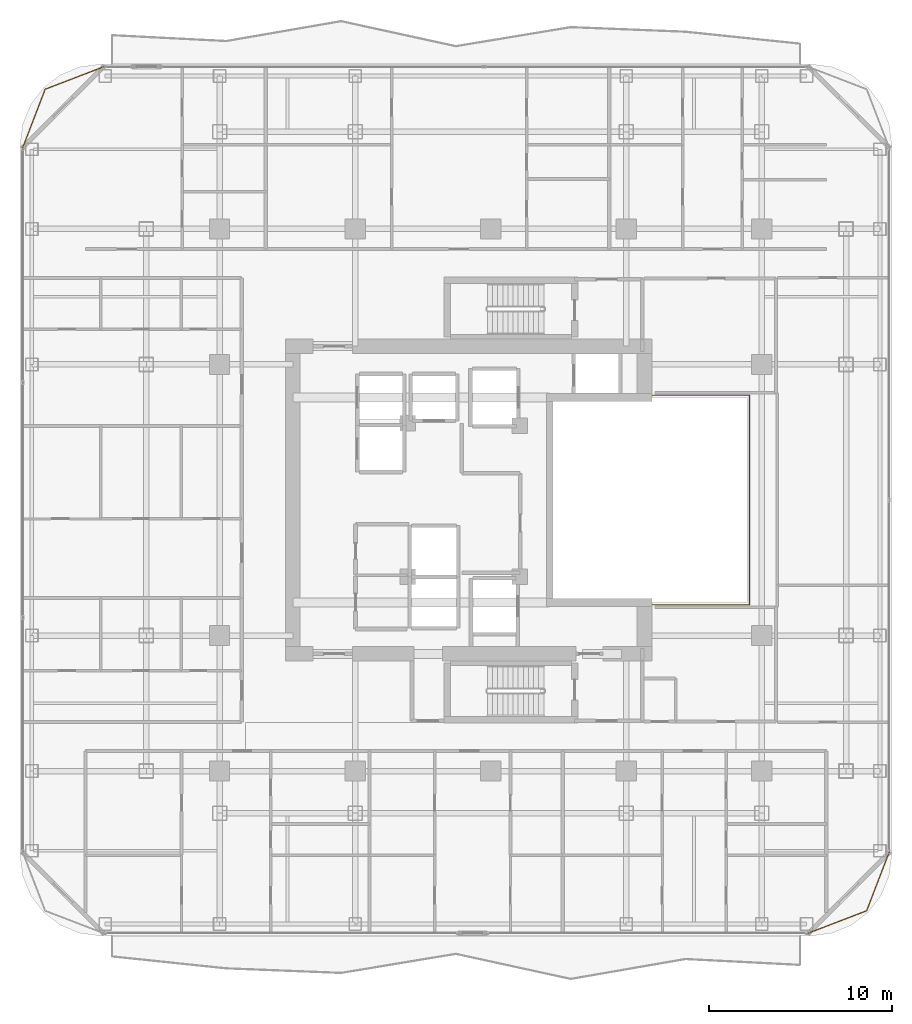
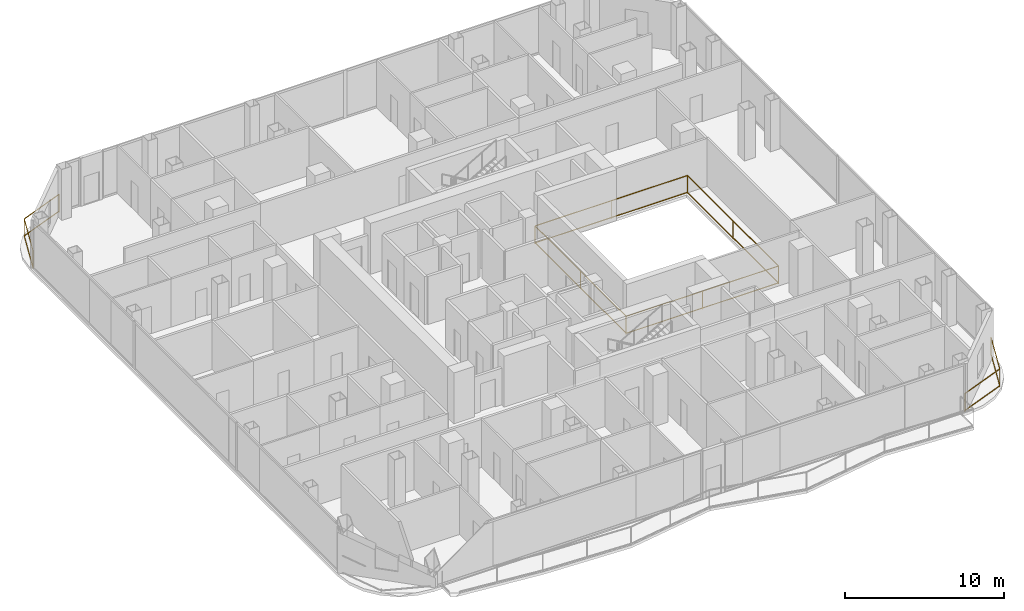
# One storey, part 25 of 26: 3 railings.
"""IFC4 building model written with IfcOpenShell, lengths in metres."""

import ifcopenshell
import ifcopenshell.guid

model = None  # the IFC model being written
_history = None  # IfcOwnerHistory: only IFC2X3 demands one
_inside = {}  # id of a spatial element -> (the spatial element, [elements in it])
_under = {}  # id of a project, library or spatial element -> (it, [spatial elements below it])
_declared = {}  # id of a project -> (the project, [libraries it declares])
_typed = {}  # id of a type object -> (the type object, [elements of that type])
_made_of = {}  # id of a material, layer set ... -> (it, [elements and type objects made of it])


def new_model(schema):
    """Start an empty IFC model of exactly this schema.

    Asked for "IFC4X3", IfcOpenShell would pick the latest addendum, in which some entities
    have other attributes; the version numbers below select the first issue.
    IFC2X3 requires an IfcOwnerHistory on every rooted entity: one is made here for all.
    """
    global model, _history
    if schema == "IFC4X3":
        model = ifcopenshell.file(schema_version=(4, 3, 0, 0))
    else:
        model = ifcopenshell.file(schema=schema)
    _inside.clear()
    _under.clear()
    _declared.clear()
    _typed.clear()
    _made_of.clear()
    _history = None
    if model.schema == "IFC2X3":
        org = make("IfcOrganization", Name="unknown")
        user = make(
            "IfcPersonAndOrganization",
            ThePerson=make("IfcPerson", FamilyName="unknown"),
            TheOrganization=org,
        )
        app = make(
            "IfcApplication",
            ApplicationDeveloper=org,
            Version="unknown",
            ApplicationFullName="unknown",
            ApplicationIdentifier="unknown",
        )
        _history = make(
            "IfcOwnerHistory",
            OwningUser=user,
            OwningApplication=app,
            ChangeAction="ADDED",
            CreationDate=0,
        )
    return model


def make(cls, **values):
    """One entity of the class cls with the attributes given. An attribute that is None is left unset."""
    return model.create_entity(
        cls, **{name: value for name, value in values.items() if value is not None}
    )


def rooted(cls, **values):
    """An entity with a GlobalId (a new one), such as an element, a storey or a relation."""
    return make(cls, GlobalId=ifcopenshell.guid.new(), OwnerHistory=_history, **values)


def si_unit(unit_type, name, prefix=None):
    """IfcSIUnit, for example si_unit("LENGTHUNIT", "METRE", prefix="MILLI")."""
    return make("IfcSIUnit", UnitType=unit_type, Prefix=prefix, Name=name)


def assignment(units):
    """IfcUnitAssignment: the units of a project."""
    return None if units is None else make("IfcUnitAssignment", Units=units)


def point(xyz):
    """IfcCartesianPoint."""
    return None if xyz is None else make("IfcCartesianPoint", Coordinates=xyz)


def direction(xyz):
    """IfcDirection."""
    return None if xyz is None else make("IfcDirection", DirectionRatios=xyz)


def frame(location, z_axis=None, x_axis=None):
    """IfcAxis2Placement3D, a coordinate frame: its origin and axes. An axis left out is left unset."""
    return make(
        "IfcAxis2Placement3D",
        Location=point(location),
        Axis=direction(z_axis),
        RefDirection=direction(x_axis),
    )


def frame_2d(location, x_axis=None):
    """IfcAxis2Placement2D, a coordinate frame in the plane: its origin and x axis."""
    return make(
        "IfcAxis2Placement2D", Location=point(location), RefDirection=direction(x_axis)
    )


def origin():
    """The frame at (0, 0, 0) with its axes left unset."""
    return frame((0.0, 0.0, 0.0))


def origin_2d():
    """The frame at (0, 0) in the plane with its x axis left unset."""
    return frame_2d((0.0, 0.0))


def place(relative_to, where):
    """IfcLocalPlacement: puts the frame where relative to a parent placement (None: the world)."""
    return make(
        "IfcLocalPlacement", PlacementRelTo=relative_to, RelativePlacement=where
    )


def context(
    kind, dimensions, precision=None, world=None, true_north=None, identifier=None
):
    """IfcGeometricRepresentationContext, for example the 3D "Model" context."""
    return make(
        "IfcGeometricRepresentationContext",
        ContextIdentifier=identifier,
        ContextType=kind,
        CoordinateSpaceDimension=dimensions,
        Precision=precision,
        WorldCoordinateSystem=world,
        TrueNorth=true_north,
    )


def subcontext(parent, identifier, kind, view, scale=None):
    """IfcGeometricRepresentationSubContext, for example "Body" below "Model"."""
    return make(
        "IfcGeometricRepresentationSubContext",
        ContextIdentifier=identifier,
        ContextType=kind,
        ParentContext=parent,
        TargetScale=scale,
        TargetView=view,
    )


def project(units=None, contexts=None):
    """IfcProject with its units and contexts."""
    return rooted(
        "IfcProject",
        Name="project",
        RepresentationContexts=contexts,
        UnitsInContext=assignment(units),
    )


def spatial(cls, under=None, at=None, **own):
    """A site, building, storey or space (cls), placed at a placement, below another one or the project."""
    s = rooted(cls, ObjectPlacement=at, **own)
    if under is not None:
        _under.setdefault(under.id(), (under, []))[1].append(s)
    return s


def profile(cls, at=None, kind="AREA", **sizes):
    """A parametric profile (cls). Its sizes go by their IFC names, for example OverallWidth=200.0."""
    return make(cls, ProfileType=kind, Position=at, **sizes)


def rectangle(**sizes):
    """IfcRectangleProfileDef."""
    return profile("IfcRectangleProfileDef", **sizes)


def extrude(swept, where, along, depth):
    """IfcExtrudedAreaSolid: the profile swept, set in the frame where, extruded along a direction by depth."""
    return make(
        "IfcExtrudedAreaSolid",
        SweptArea=swept,
        Position=where,
        ExtrudedDirection=direction(along),
        Depth=depth,
    )


def shape(context_of_items, identifier, shape_type, items):
    """IfcShapeRepresentation: the items that make up one representation, for example the "Body"."""
    return make(
        "IfcShapeRepresentation",
        ContextOfItems=context_of_items,
        RepresentationIdentifier=identifier,
        RepresentationType=shape_type,
        Items=items,
    )


def material(Name=None, Category=None):
    """IfcMaterial."""
    return make("IfcMaterial", Name=Name, Category=Category)


def made_of(thing, what):
    """Note that an element or type object is made of a material, layer set ...; save() writes the relation."""
    if what is not None:
        _made_of.setdefault(what.id(), (what, []))[1].append(thing)
    return thing


def type_object(cls, material=None, **own):
    """A type object (cls), such as IfcWallType, which elements share."""
    return made_of(rooted(cls, **own), material)


def element(
    cls,
    number,
    at=None,
    inside=None,
    cuts=None,
    type_object=None,
    material=None,
    context=None,
    identifier="Body",
    shape_type=None,
    held_by="IfcProductDefinitionShape",
    body=None,
    shapes=None,
    **own,
):
    """One element of the class cls, such as IfcWall. Its Tag is "e" and its number.

    at: its placement. inside: the storey or other place that contains it. cuts: it is an
    opening in that element (IfcRelVoidsElement). A single representation is given by context,
    identifier, shape_type and body (its items); several are given by shapes. held_by: the class
    of the entity that holds the representations. save() writes the other relations.
    """
    e = rooted(cls, Tag="e%d" % number, ObjectPlacement=at, **own)
    if body is not None:
        shapes = [shape(context, identifier, shape_type, body)]
    if shapes is not None:
        e.Representation = make(held_by, Representations=shapes)
    if inside is not None:
        _inside.setdefault(inside.id(), (inside, []))[1].append(e)
    if cuts is not None:
        rooted(
            "IfcRelVoidsElement", RelatingBuildingElement=cuts, RelatedOpeningElement=e
        )
    if type_object is not None:
        _typed.setdefault(type_object.id(), (type_object, []))[1].append(e)
    return made_of(e, material)


def aggregate(whole, parts):
    """IfcRelAggregates: a whole, such as a stair, and the parts it consists of."""
    return rooted("IfcRelAggregates", RelatingObject=whole, RelatedObjects=parts)


def save(model, path):
    """Write the relations noted so far, then the file.

    IfcRelAggregates (storeys below a building ...), IfcRelContainedInSpatialStructure (elements
    in a storey), IfcRelDefinesByType, IfcRelAssociatesMaterial and IfcRelDeclares: one each for
    every whole, place, type object, material and project.
    """
    for whole, parts in _under.values():
        aggregate(whole, parts)
    for where, things in _inside.values():
        rooted(
            "IfcRelContainedInSpatialStructure",
            RelatedElements=things,
            RelatingStructure=where,
        )
    for kind, things in _typed.values():
        rooted("IfcRelDefinesByType", RelatedObjects=things, RelatingType=kind)
    for what, things in _made_of.values():
        rooted("IfcRelAssociatesMaterial", RelatedObjects=things, RelatingMaterial=what)
    for by, libraries in _declared.values():
        rooted("IfcRelDeclares", RelatingContext=by, RelatedDefinitions=libraries)
    model.write(path)


model = new_model("IFC4")

# Units and contexts
model_context = context("Model", 3, precision=1e-05, world=origin(), true_north=direction((0.0, 1.0)))
body_context = subcontext(model_context, "Body", "Model", "MODEL_VIEW")
ifc_project = project(units=[si_unit("LENGTHUNIT", "METRE"), si_unit("AREAUNIT", "SQUARE_METRE"), si_unit("VOLUMEUNIT", "CUBIC_METRE"), si_unit("PLANEANGLEUNIT", "RADIAN"), si_unit("MASSUNIT", "GRAM", prefix="KILO")], contexts=[model_context])

# Site, building, storey
site_placement = place(None, origin())
site = spatial("IfcSite", under=ifc_project, at=site_placement, CompositionType="ELEMENT")
building_placement = place(site_placement, origin())
building = spatial("IfcBuilding", under=site, at=building_placement, Name="Khorvyn Point Tower", CompositionType="ELEMENT")
storey_placement = place(building_placement, frame((0.0, 0.0, 183.60009765625)))
storey = spatial("IfcBuildingStorey", under=building, at=storey_placement, Name="L45", CompositionType="ELEMENT", Elevation=183.60009765625)

# Railings
ifc_material_1 = material(Name="Stainless steel 1.4401 and laminated glass", Category="steel")
railing_type_1 = type_object("IfcRailingType", Name="Crystal Atrium Smoke-Rated Perimeter Guardrail 1400", PredefinedType="GUARDRAIL", material=ifc_material_1)
railing_1_placement = place(storey_placement, frame((3.080078125, -5.719970703125, 0.0)))
element("IfcRailing", 1, at=railing_1_placement, inside=storey, type_object=railing_type_1, Name="L45 Crystal Atrium Perimeter Guardrail", PredefinedType="GUARDRAIL", context=body_context, shape_type="SweptSolid", body=[
    extrude(rectangle(XDim=0.048095703125, YDim=0.048095703125, at=origin_2d()), frame((0.0, 0.0, 1.3759765625), z_axis=(1.0, 0.0, 0.0), x_axis=(0.0, 1.0, 0.0)), (0.0, 0.0, 1.0), 11.0400390625),
    extrude(rectangle(XDim=0.048095703125, YDim=0.048095703125, at=origin_2d()), frame((0.0, 0.0, 0.080078125), z_axis=(1.0, 0.0, 0.0), x_axis=(0.0, 1.0, 0.0)), (0.0, 0.0, 1.0), 11.0400390625),
    extrude(rectangle(XDim=0.048095703125, YDim=0.048095703125, at=origin_2d()), frame((11.0400390625, 0.0, 1.3759765625), z_axis=(0.0, 1.0, 0.0), x_axis=(-1.0, 0.0, 0.0)), (0.0, 0.0, 1.0), 11.43994140625),
    extrude(rectangle(XDim=0.048095703125, YDim=0.048095703125, at=origin_2d()), frame((11.0400390625, 0.0, 0.080078125), z_axis=(0.0, 1.0, 0.0), x_axis=(-1.0, 0.0, 0.0)), (0.0, 0.0, 1.0), 11.43994140625),
    extrude(rectangle(XDim=0.048095703125, YDim=0.048095703125, at=origin_2d()), frame((11.0400390625, 11.43994140625, 1.3759765625), z_axis=(-1.0, 0.0, 0.0), x_axis=(0.0, -1.0, 0.0)), (0.0, 0.0, 1.0), 11.0400390625),
    extrude(rectangle(XDim=0.048095703125, YDim=0.048095703125, at=origin_2d()), frame((11.0400390625, 11.43994140625, 0.080078125), z_axis=(-1.0, 0.0, 0.0), x_axis=(0.0, -1.0, 0.0)), (0.0, 0.0, 1.0), 11.0400390625),
    extrude(rectangle(XDim=0.048095703125, YDim=0.048095703125, at=origin_2d()), frame((0.0, 11.43994140625, 1.3759765625), z_axis=(0.0, -1.0, 0.0), x_axis=(1.0, 0.0, 0.0)), (0.0, 0.0, 1.0), 11.409912109375),
    extrude(rectangle(XDim=0.048095703125, YDim=0.048095703125, at=origin_2d()), frame((0.0, 11.43994140625, 0.080078125), z_axis=(0.0, -1.0, 0.0), x_axis=(1.0, 0.0, 0.0)), (0.0, 0.0, 1.0), 11.409912109375),
    extrude(rectangle(XDim=0.0419921875, YDim=0.0419921875, at=origin_2d()), origin(), (0.0, 0.0, 1.0), 1.351806640625),
    extrude(rectangle(XDim=0.0419921875, YDim=0.0419921875, at=origin_2d()), frame((5.52001953125, 0.0, 0.0)), (0.0, 0.0, 1.0), 1.351806640625),
    extrude(rectangle(XDim=0.0419921875, YDim=0.0419921875, at=origin_2d()), frame((11.0400390625, 0.0, 0.0)), (0.0, 0.0, 1.0), 1.351806640625),
    extrude(rectangle(XDim=0.0419921875, YDim=0.0419921875, at=origin_2d()), frame((11.0400390625, 5.719970703125, 0.0)), (0.0, 0.0, 1.0), 1.351806640625),
    extrude(rectangle(XDim=0.0419921875, YDim=0.0419921875, at=origin_2d()), frame((11.0400390625, 11.43994140625, 0.0)), (0.0, 0.0, 1.0), 1.351806640625),
    extrude(rectangle(XDim=0.0419921875, YDim=0.0419921875, at=origin_2d()), frame((5.52001953125, 11.43994140625, 0.0)), (0.0, 0.0, 1.0), 1.351806640625),
    extrude(rectangle(XDim=0.0419921875, YDim=0.0419921875, at=origin_2d()), frame((0.0, 11.43994140625, 0.0)), (0.0, 0.0, 1.0), 1.351806640625),
    extrude(rectangle(XDim=0.0419921875, YDim=0.0419921875, at=origin_2d()), frame((0.0, 5.73486328125, 0.0)), (0.0, 0.0, 1.0), 1.351806640625),
    extrude(rectangle(XDim=0.0419921875, YDim=0.0419921875, at=origin_2d()), frame((0.0, 0.030029296875, 0.0)), (0.0, 0.0, 1.0), 1.351806640625),
])
ifc_material_2 = material(Name="Anodised aluminium 6063-T6 and laminated safety glass", Category="aluminium")
railing_type_2 = type_object("IfcRailingType", Name="Laminated Glass and Aluminium Balcony Guardrail 1400", PredefinedType="BALUSTRADE", material=ifc_material_2)
railing_2_placement = place(storey_placement, frame((-21.075927734375, 23.674072265625, 0.0)))
element("IfcRailing", 2, at=railing_2_placement, inside=storey, type_object=railing_type_2, Name="L45 Rounded Corner Edge Guardrail NW", PredefinedType="BALUSTRADE", context=body_context, shape_type="SweptSolid", body=[
    extrude(rectangle(XDim=0.048095703125, YDim=0.048095703125, at=origin_2d()), frame((0.0, 0.0, 1.3759765625), z_axis=(-0.933598390295, -0.358321148746, 0.0), x_axis=(0.358321148746, -0.933598390295, 0.0)), (0.0, 0.0, 1.0), 3.481689453125),
    extrude(rectangle(XDim=0.048095703125, YDim=0.048095703125, at=origin_2d()), frame((0.0, 0.0, 0.080078125), z_axis=(-0.933598390295, -0.358321148746, 0.0), x_axis=(0.358321148746, -0.933598390295, 0.0)), (0.0, 0.0, 1.0), 3.481689453125),
    extrude(rectangle(XDim=0.048095703125, YDim=0.048095703125, at=origin_2d()), frame((-3.25048828125, -1.24755859375, 1.3759765625), z_axis=(-0.358382264808, -0.933574931257, 0.0), x_axis=(0.933574931257, -0.358382264808, 0.0)), (0.0, 0.0, 1.0), 3.481689453125),
    extrude(rectangle(XDim=0.048095703125, YDim=0.048095703125, at=origin_2d()), frame((-3.25048828125, -1.24755859375, 0.080078125), z_axis=(-0.358382264808, -0.933574931257, 0.0), x_axis=(0.933574931257, -0.358382264808, 0.0)), (0.0, 0.0, 1.0), 3.481689453125),
    extrude(rectangle(XDim=0.0419921875, YDim=0.0419921875, at=origin_2d()), origin(), (0.0, 0.0, 1.0), 1.351806640625),
    extrude(rectangle(XDim=0.0419921875, YDim=0.0419921875, at=origin_2d()), frame((-3.25048828125, -1.24755859375, 0.0)), (0.0, 0.0, 1.0), 1.351806640625),
    extrude(rectangle(XDim=0.0419921875, YDim=0.0419921875, at=origin_2d()), frame((-4.498291015625, -4.498046875, 0.0)), (0.0, 0.0, 1.0), 1.351806640625),
])
railing_3_placement = place(storey_placement, frame((17.27587890625, -23.674072265625, 0.0)))
element("IfcRailing", 3, at=railing_3_placement, inside=storey, type_object=railing_type_2, Name="L45 Rounded Corner Edge Guardrail SE", PredefinedType="BALUSTRADE", context=body_context, shape_type="SweptSolid", body=[
    extrude(rectangle(XDim=0.048095703125, YDim=0.048095703125, at=origin_2d()), frame((0.0, 0.0, 1.3759765625), z_axis=(0.933598390295, 0.358321148746, 0.0), x_axis=(-0.358321148746, 0.933598390295, 0.0)), (0.0, 0.0, 1.0), 3.481689453125),
    extrude(rectangle(XDim=0.048095703125, YDim=0.048095703125, at=origin_2d()), frame((0.0, 0.0, 0.080078125), z_axis=(0.933598390295, 0.358321148746, 0.0), x_axis=(-0.358321148746, 0.933598390295, 0.0)), (0.0, 0.0, 1.0), 3.481689453125),
    extrude(rectangle(XDim=0.048095703125, YDim=0.048095703125, at=origin_2d()), frame((3.25048828125, 1.24755859375, 1.3759765625), z_axis=(0.358382264808, 0.933574931257, 0.0), x_axis=(-0.933574931257, 0.358382264808, 0.0)), (0.0, 0.0, 1.0), 3.481689453125),
    extrude(rectangle(XDim=0.048095703125, YDim=0.048095703125, at=origin_2d()), frame((3.25048828125, 1.24755859375, 0.080078125), z_axis=(0.358382264808, 0.933574931257, 0.0), x_axis=(-0.933574931257, 0.358382264808, 0.0)), (0.0, 0.0, 1.0), 3.481689453125),
    extrude(rectangle(XDim=0.0419921875, YDim=0.0419921875, at=origin_2d()), origin(), (0.0, 0.0, 1.0), 1.351806640625),
    extrude(rectangle(XDim=0.0419921875, YDim=0.0419921875, at=origin_2d()), frame((3.25048828125, 1.24755859375, 0.0)), (0.0, 0.0, 1.0), 1.351806640625),
    extrude(rectangle(XDim=0.0419921875, YDim=0.0419921875, at=origin_2d()), frame((4.498291015625, 4.498046875, 0.0)), (0.0, 0.0, 1.0), 1.351806640625),
])

save(model, "model.ifc")
